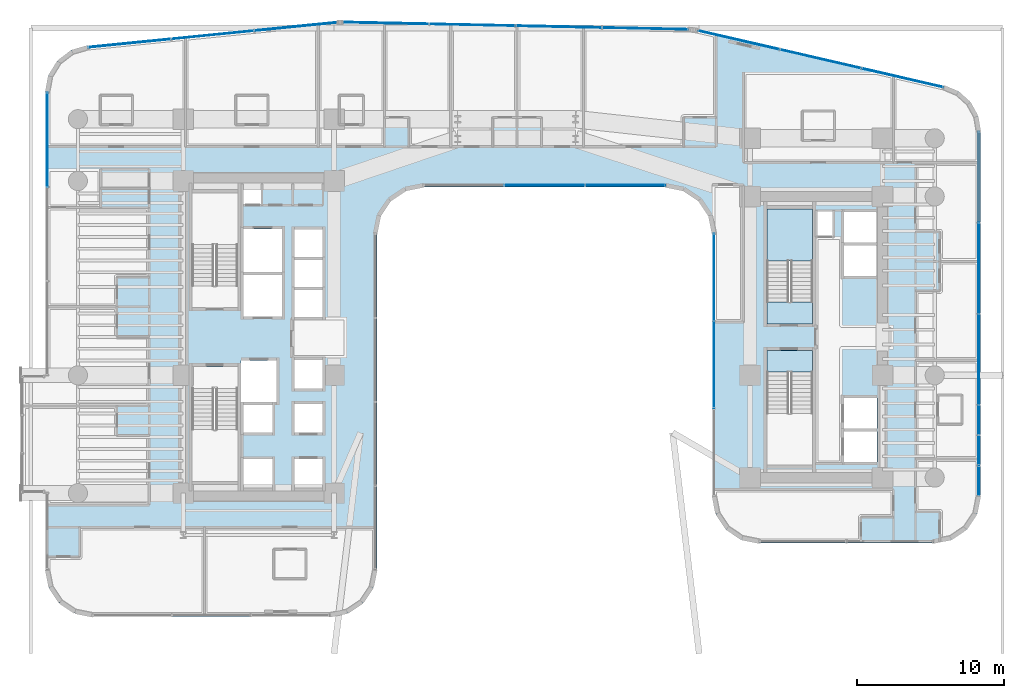
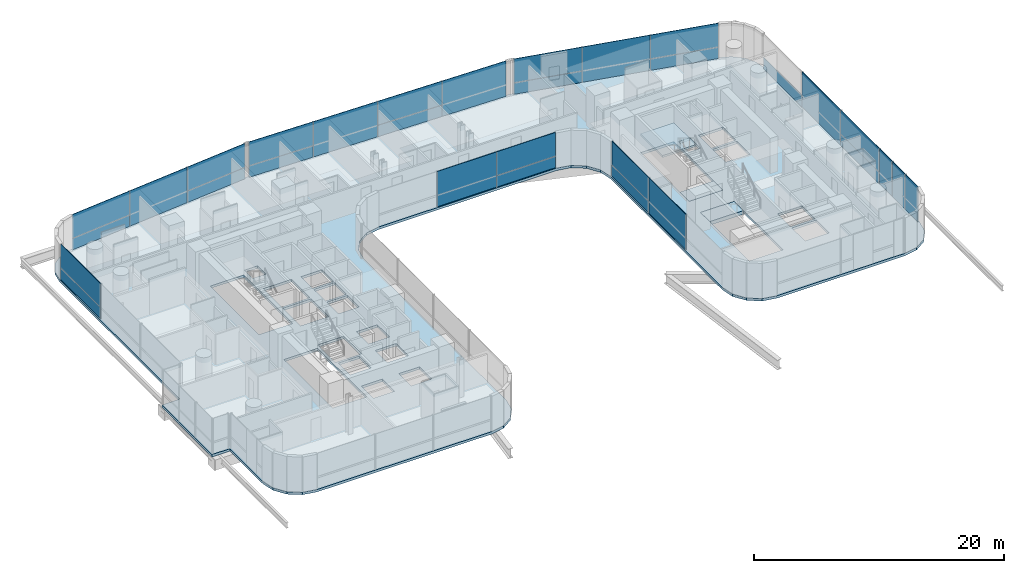
# One storey, part 37 of 50: 31 plates, 4 slabs, 8 elements without a shape of their own.
"""IFC4 building model written with IfcOpenShell, lengths in metres."""

from ifc_helpers import new_model, si_unit, direction, frame, origin, origin_2d, place, context, subcontext, project, spatial, polyline, rectangle, outline, extrude, source, transform, mapped, material, layer, layer_set, type_object, element, aggregate, save


model = new_model("IFC4")

# Units and contexts
model_context = context("Model", 3, precision=1e-05, world=origin(), true_north=direction((0.0, 1.0)))
body_context = subcontext(model_context, "Body", "Model", "MODEL_VIEW")
ifc_project = project(units=[si_unit("LENGTHUNIT", "METRE"), si_unit("AREAUNIT", "SQUARE_METRE"), si_unit("VOLUMEUNIT", "CUBIC_METRE"), si_unit("PLANEANGLEUNIT", "RADIAN"), si_unit("MASSUNIT", "GRAM", prefix="KILO")], contexts=[model_context])

# Site, building, storey
site_placement = place(None, origin())
site = spatial("IfcSite", under=ifc_project, at=site_placement, CompositionType="ELEMENT")
building_placement = place(site_placement, origin())
building = spatial("IfcBuilding", under=site, at=building_placement, Name="Valdorenza Pilgrim Sanctuary Tower", CompositionType="ELEMENT")
storey_placement = place(building_placement, frame((0.0, 0.0, 26.0)))
storey = spatial("IfcBuildingStorey", under=building, at=storey_placement, Name="L05", CompositionType="ELEMENT", Elevation=26.0)

# Slab
ifc_material_1 = material(Name="Concrete C40/50", Category="concrete")
ifc_layer_1 = layer(ifc_material_1, 0.239990234375, Name="Concrete C40/50")
ifc_layer_set_1 = layer_set([ifc_layer_1], Name="Concrete C40/50")
slab_type_1 = type_object("IfcSlabType", Name="SLAB-FLR-220", PredefinedType="FLOOR", material=ifc_layer_set_1)
slab_1_placement = place(storey_placement, frame((0.0, 0.0, -0.239990234375)))
element("IfcSlab", 1, at=slab_1_placement, inside=storey, type_object=slab_type_1, Name="L05 Structural Floor Slab 1", PredefinedType="FLOOR", context=body_context, shape_type="SweptSolid", body=[
    extrude(outline(polyline([(-33.64990234375, -2.60009765625), (-32.0, -2.60009765625), (-32.0, 16.60400390625), (-31.785888671875, 17.754638671875), (-31.172607421875, 18.751220703125), (-30.241943359375, 19.460693359375), (-29.118408203125, 19.7880859375), (-12.192138671875, 21.480712890625), (-11.999755859375, 21.494140625), (-11.806884765625, 21.49609375), (11.66943359375, 21.0068359375), (11.833984375, 20.999267578125), (11.997802734375, 20.983154296875), (12.160888671875, 20.95849609375), (12.322265625, 20.925537109375), (29.01953125, 17.072509765625), (30.00732421875, 16.660888671875), (30.80419921875, 15.946533203125), (31.321044921875, 15.009521484375), (31.5, 13.954345703125), (31.5, -10.800048828125), (31.25634765625, -12.024658203125), (30.562744140625, -13.062744140625), (29.524658203125, -13.75634765625), (28.300048828125, -14.0), (16.5, -14.0), (15.275390625, -13.75634765625), (14.2373046875, -13.062744140625), (13.543701171875, -12.024658203125), (13.300048828125, -10.800048828125), (13.300048828125, 7.0), (13.056396484375, 8.224609375), (12.36279296875, 9.2626953125), (11.32470703125, 9.956298828125), (10.10009765625, 10.199951171875), (-6.300048828125, 10.199951171875), (-7.524658203125, 9.956298828125), (-8.562744140625, 9.2626953125), (-9.25634765625, 8.224609375), (-9.5, 7.0), (-9.5, -15.800048828125), (-9.74365234375, -17.024658203125), (-10.437255859375, -18.062744140625), (-11.475341796875, -18.75634765625), (-12.699951171875, -19.0), (-28.800048828125, -19.0), (-30.024658203125, -18.75634765625), (-31.062744140625, -18.062744140625), (-31.75634765625, -17.024658203125), (-32.0, -15.800048828125), (-32.0, -10.60009765625), (-33.64990234375, -10.60009765625), (-33.64990234375, -2.60009765625)]), holes=[polyline([(-16.60009765625, -10.25), (-16.60009765625, -8.300048828125), (-18.550048828125, -8.300048828125), (-18.550048828125, -10.25), (-16.60009765625, -10.25)]), polyline([(-22.050048828125, -9.800048828125), (-18.93994140625, -9.800048828125), (-18.93994140625, -3.485107421875), (-18.93994140625, -2.0), (-22.050048828125, -2.0), (-22.050048828125, -3.485107421875), (-22.050048828125, -9.800048828125)]), polyline([(-18.550048828125, -6.5), (-16.60009765625, -6.5), (-16.60009765625, -4.60009765625), (-18.550048828125, -4.60009765625), (-18.550048828125, -6.5)]), polyline([(-13.179931640625, -6.5), (-13.179931640625, -4.550048828125), (-15.10009765625, -4.550048828125), (-15.10009765625, -6.5), (-13.179931640625, -6.5)]), polyline([(-18.719970703125, -4.39990234375), (-16.300048828125, -4.39990234375), (-16.300048828125, -1.60009765625), (-18.719970703125, -1.60009765625), (-18.719970703125, -4.39990234375)]), polyline([(-13.179931640625, -3.5), (-13.179931640625, -1.550048828125), (-15.10009765625, -1.550048828125), (-15.10009765625, -3.5), (-13.179931640625, -3.5)]), polyline([(-22.050048828125, 2.0), (-18.93994140625, 2.0), (-18.93994140625, 3.485107421875), (-18.93994140625, 9.800048828125), (-22.050048828125, 9.800048828125), (-22.050048828125, 3.485107421875), (-22.050048828125, 2.0)]), polyline([(-18.550048828125, 1.39990234375), (-15.949951171875, 1.39990234375), (-15.949951171875, 4.22509765625), (-18.550048828125, 4.22509765625), (-18.550048828125, 1.39990234375)]), polyline([(-15.949951171875, 4.425048828125), (-15.949951171875, 7.35009765625), (-18.550048828125, 7.35009765625), (-18.550048828125, 4.425048828125), (-15.949951171875, 4.425048828125)]), polyline([(-15.10009765625, 5.449951171875), (-13.179931640625, 5.449951171875), (-13.179931640625, 7.300048828125), (-15.10009765625, 7.300048828125), (-15.10009765625, 5.449951171875)]), polyline([(-17.360107421875, 9.030029296875), (-17.360107421875, 10.35009765625), (-18.570068359375, 10.35009765625), (-18.570068359375, 9.030029296875), (-17.360107421875, 9.030029296875)]), polyline([(-15.10009765625, -10.25), (-13.179931640625, -10.25), (-13.179931640625, -8.300048828125), (-15.10009765625, -8.300048828125), (-15.10009765625, -10.25)]), polyline([(22.25, -8.5), (24.47998046875, -8.5), (24.47998046875, -6.425048828125), (22.25, -6.425048828125), (22.25, -8.5)]), polyline([(17.0, -2.385009765625), (17.0, -8.699951171875), (20.110107421875, -8.699951171875), (20.110107421875, -2.385009765625), (20.110107421875, -0.89990234375), (17.0, -0.89990234375), (17.0, -2.385009765625)]), polyline([(22.25, -6.22509765625), (24.47998046875, -6.22509765625), (24.47998046875, -4.14990234375), (22.25, -4.14990234375), (22.25, -6.22509765625)]), polyline([(17.0, 0.89990234375), (20.110107421875, 0.89990234375), (20.110107421875, 2.385009765625), (20.110107421875, 8.699951171875), (17.0, 8.699951171875), (17.0, 2.385009765625), (17.0, 0.89990234375)]), polyline([(-15.10009765625, 1.35009765625), (-13.179931640625, 1.35009765625), (-13.179931640625, 3.199951171875), (-15.10009765625, 3.199951171875), (-15.10009765625, 1.35009765625)]), polyline([(-15.10009765625, 3.39990234375), (-13.179931640625, 3.39990234375), (-13.179931640625, 5.25), (-15.10009765625, 5.25), (-15.10009765625, 3.39990234375)]), polyline([(22.25, 4.14990234375), (24.47998046875, 4.14990234375), (24.47998046875, 6.22509765625), (22.25, 6.22509765625), (22.25, 4.14990234375)]), polyline([(22.25, 6.425048828125), (24.47998046875, 6.425048828125), (24.47998046875, 8.5), (22.25, 8.5), (22.25, 6.425048828125)]), polyline([(20.409912109375, 6.860107421875), (21.489990234375, 6.860107421875), (21.489990234375, 8.52001953125), (20.409912109375, 8.52001953125), (20.409912109375, 6.860107421875)])]), origin(), (0.0, 0.0, 1.0), 0.239990234375),
])

# Stair, slab
stair_type = type_object("IfcStairType", Name="STR-DOG-CORE", PredefinedType="HALF_TURN_STAIR", material=ifc_material_1)
stair_placement = place(storey_placement, origin())
stair = element("IfcStair", 2, at=stair_placement, inside=storey, type_object=stair_type, Name="L05 ST-B1", PredefinedType="HALF_TURN_STAIR")
ifc_layer_2 = layer(ifc_material_1, 0.199951171875, Name="Concrete C40/50")
ifc_layer_set_2 = layer_set([ifc_layer_2], Name="Concrete C40/50")
slab_type_2 = type_object("IfcSlabType", Name="SLAB-STL-200", PredefinedType="LANDING", material=ifc_layer_set_2)
slab_2_placement = place(storey_placement, frame((0.0, 0.0, 1.64990234375)))
slab_2 = element("IfcSlab", 3, at=slab_2_placement, type_object=slab_type_2, Name="ST-B1 landing 1", PredefinedType="LANDING", context=body_context, shape_type="SweptSolid", body=[
    extrude(outline(polyline([(20.110107421875, 5.179931640625), (20.110107421875, 8.699951171875), (17.0, 8.699951171875), (17.0, 5.179931640625), (20.110107421875, 5.179931640625)])), origin(), (0.0, 0.0, 1.0), 0.2001953125),
])
aggregate(stair, [slab_2])

# Slabs
ifc_material_2 = material(Name="Concrete C50/60", Category="concrete")
ifc_layer_3 = layer(ifc_material_2, 0.39990234375, Name="Concrete C50/60")
ifc_layer_set_3 = layer_set([ifc_layer_3], Name="Concrete C50/60")
slab_type_3 = type_object("IfcSlabType", Name="SLAB-TRF-400", PredefinedType="FLOOR", material=ifc_layer_set_3)
slab_3_placement = place(storey_placement, frame((0.0, 0.0, -0.360107421875)))
element("IfcSlab", 4, at=slab_3_placement, inside=storey, type_object=slab_type_3, Name="L05 ST-B1 Structural Stair Landing Bearing Slab", PredefinedType="FLOOR", context=body_context, shape_type="SweptSolid", body=[
    extrude(outline(polyline([(17.0, 0.89990234375), (20.110107421875, 0.89990234375), (20.110107421875, 2.385009765625), (17.0, 2.385009765625), (17.0, 0.89990234375)])), origin(), (0.0, 0.0, 1.0), 0.360107421875),
])
slab_4_placement = place(storey_placement, frame((0.0, 0.0, -0.360107421875)))
element("IfcSlab", 5, at=slab_4_placement, inside=storey, type_object=slab_type_3, Name="L05 ST-B2 Structural Stair Landing Bearing Slab", PredefinedType="FLOOR", context=body_context, shape_type="SweptSolid", body=[
    extrude(outline(polyline([(17.0, -2.385009765625), (20.110107421875, -2.385009765625), (20.110107421875, -0.89990234375), (17.0, -0.89990234375), (17.0, -2.385009765625)])), origin(), (0.0, 0.0, 1.0), 0.360107421875),
])

# Curtain wall, plates
ifc_material_3 = material(Name="Curtain-wall IGU glazing", Category="glass")
curtain_wall_type_1 = type_object("IfcCurtainWallType", Name="CW-SYS-02", PredefinedType="NOTDEFINED", material=ifc_material_3)
curtain_wall_1_placement = place(storey_placement, origin())
curtain_wall_1 = element("IfcCurtainWall", 6, at=curtain_wall_1_placement, inside=storey, type_object=curtain_wall_type_1, Name="L05 Curtain Wall CW-L05-1-1S2", PredefinedType="NOTDEFINED")
ifc_material_4 = material(Name="Honed travertine limestone", Category="masonry")
ifc_layer_4 = layer(ifc_material_4, 0.050048828125, Name="Honed travertine limestone")
ifc_layer_set_4 = layer_set([ifc_layer_4], Name="Honed travertine limestone")
plate_type_1 = type_object("IfcPlateType", Name="CW-SPN-TRV", PredefinedType="USERDEFINED", material=ifc_layer_set_4)
shared_shape_1 = source(origin(), body_context, "Body", "SweptSolid", [
    extrude(rectangle(XDim=6.3779296875, YDim=0.06005859375, at=origin_2d()), origin(), (0.0, 0.0, 1.0), 1.10009765625),
])
plate_1_placement = place(storey_placement, frame((-31.889892578125, 13.39501953125, 0.010009765625), z_axis=(0.0, 0.0, 1.0), x_axis=(0.0, 1.0, 0.0)))
plate_1 = element("IfcPlate", 7, at=plate_1_placement, type_object=plate_type_1, Name="CW-L05-1-1S2 Travertine Spandrel 3", ObjectType="SPANDREL", PredefinedType="USERDEFINED", context=body_context, shape_type="MappedRepresentation", body=[
    mapped(shared_shape_1, transform((0.0, 0.0, 0.0), x_axis=(1.0, 0.0, 0.0), y_axis=(0.0, 1.0, 0.0), z_axis=(0.0, 0.0, 1.0), scale=1.0)),
])
ifc_material_5 = material(Name="Ceramic-fritted low-E IGU glazing", Category="glass")
ifc_layer_5 = layer(ifc_material_5, 0.035888671875, Name="Ceramic-fritted low-E IGU glazing")
ifc_layer_set_5 = layer_set([ifc_layer_5], Name="Ceramic-fritted low-E IGU glazing")
plate_type_2 = type_object("IfcPlateType", Name="CW-GLZ-IGU", PredefinedType="USERDEFINED", material=ifc_layer_set_5)
shared_shape_2 = source(origin(), body_context, "Body", "SweptSolid", [
    extrude(rectangle(XDim=6.3779296875, YDim=0.050048828125, at=origin_2d()), origin(), (0.0, 0.0, 1.0), 2.320068359375),
])
plate_2_placement = place(storey_placement, frame((-31.889892578125, 13.39501953125, 1.1298828125), z_axis=(0.0, 0.0, 1.0), x_axis=(0.0, 1.0, 0.0)))
plate_2 = element("IfcPlate", 8, at=plate_2_placement, type_object=plate_type_2, Name="CW-L05-1-1S2 Facade Panel 3", ObjectType="GLAZING", PredefinedType="USERDEFINED", context=body_context, shape_type="MappedRepresentation", body=[
    mapped(shared_shape_2, transform((0.0, 0.0, 0.0), x_axis=(1.0, 0.0, 0.0), y_axis=(0.0, 1.0, 0.0), z_axis=(0.0, 0.0, 1.0), scale=1.0)),
])
aggregate(curtain_wall_1, [plate_1, plate_2])

curtain_wall_2_placement = place(storey_placement, origin())
curtain_wall_2 = element("IfcCurtainWall", 9, at=curtain_wall_2_placement, inside=storey, type_object=curtain_wall_type_1, Name="L05 Curtain Wall CW-L05-1-6", PredefinedType="NOTDEFINED")
shared_shape_3 = source(origin(), body_context, "Body", "SweptSolid", [
    extrude(rectangle(XDim=5.646484375, YDim=0.06005859375, at=origin_2d()), origin(), (0.0, 0.0, 1.0), 1.10009765625),
])
plate_3_placement = place(storey_placement, frame((-26.2783203125, 19.961669921875, 0.010009765625), z_axis=(0.0, 0.0, 1.0), x_axis=(0.995038220239, 0.099493418189, 0.0)))
plate_3 = element("IfcPlate", 10, at=plate_3_placement, type_object=plate_type_1, Name="CW-L05-1-6 Travertine Spandrel 1", ObjectType="SPANDREL", PredefinedType="USERDEFINED", context=body_context, shape_type="MappedRepresentation", body=[
    mapped(shared_shape_3, transform((0.0, 0.0, 0.0), x_axis=(1.0, 0.0, 0.0), y_axis=(0.0, 1.0, 0.0), z_axis=(0.0, 0.0, 1.0), scale=1.0)),
])
plate_4_placement = place(storey_placement, frame((-15.001220703125, 21.08935546875, 0.010009765625), z_axis=(0.0, 0.0, 1.0), x_axis=(0.995038220239, 0.099493418189, 0.0)))
plate_4 = element("IfcPlate", 11, at=plate_4_placement, type_object=plate_type_1, Name="CW-L05-1-6 Travertine Spandrel 3", ObjectType="SPANDREL", PredefinedType="USERDEFINED", context=body_context, shape_type="MappedRepresentation", body=[
    mapped(shared_shape_3, transform((0.0, 0.0, 0.0), x_axis=(1.0, 0.0, 0.0), y_axis=(0.0, 1.0, 0.0), z_axis=(0.0, 0.0, 1.0), scale=1.0)),
])
shared_shape_4 = source(origin(), body_context, "Body", "SweptSolid", [
    extrude(rectangle(XDim=5.646484375, YDim=0.050048828125, at=origin_2d()), origin(), (0.0, 0.0, 1.0), 2.320068359375),
])
plate_5_placement = place(storey_placement, frame((-26.2783203125, 19.961669921875, 1.1298828125), z_axis=(0.0, 0.0, 1.0), x_axis=(0.995038220239, 0.099493418189, 0.0)))
plate_5 = element("IfcPlate", 12, at=plate_5_placement, type_object=plate_type_2, Name="CW-L05-1-6 Facade Panel 1", ObjectType="GLAZING", PredefinedType="USERDEFINED", context=body_context, shape_type="MappedRepresentation", body=[
    mapped(shared_shape_4, transform((0.0, 0.0, 0.0), x_axis=(1.0, 0.0, 0.0), y_axis=(0.0, 1.0, 0.0), z_axis=(0.0, 0.0, 1.0), scale=1.0)),
])
plate_6_placement = place(storey_placement, frame((-15.001220703125, 21.08935546875, 1.1298828125), z_axis=(0.0, 0.0, 1.0), x_axis=(0.995038220239, 0.099493418189, 0.0)))
plate_6 = element("IfcPlate", 13, at=plate_6_placement, type_object=plate_type_2, Name="CW-L05-1-6 Facade Panel 3", ObjectType="GLAZING", PredefinedType="USERDEFINED", context=body_context, shape_type="MappedRepresentation", body=[
    mapped(shared_shape_4, transform((0.0, 0.0, 0.0), x_axis=(1.0, 0.0, 0.0), y_axis=(0.0, 1.0, 0.0), z_axis=(0.0, 0.0, 1.0), scale=1.0)),
])
shared_shape_5 = source(origin(), body_context, "Body", "SweptSolid", [
    extrude(rectangle(XDim=5.646484375, YDim=0.050048828125, at=origin_2d()), origin(), (0.0, 0.0, 1.0), 3.43994140625),
])
plate_7_placement = place(storey_placement, frame((-20.6396484375, 20.525634765625, 0.010009765625), z_axis=(0.0, 0.0, 1.0), x_axis=(0.995038220239, 0.099493418189, 0.0)))
plate_7 = element("IfcPlate", 14, at=plate_7_placement, type_object=plate_type_2, Name="CW-L05-1-6 Full-Height Facade Panel 2", ObjectType="GLAZING", PredefinedType="USERDEFINED", context=body_context, shape_type="MappedRepresentation", body=[
    mapped(shared_shape_5, transform((0.0, 0.0, 0.0), x_axis=(1.0, 0.0, 0.0), y_axis=(0.0, 1.0, 0.0), z_axis=(0.0, 0.0, 1.0), scale=1.0)),
])
aggregate(curtain_wall_2, [plate_3, plate_5, plate_7, plate_4, plate_6])

curtain_wall_3_placement = place(storey_placement, origin())
curtain_wall_3 = element("IfcCurtainWall", 15, at=curtain_wall_3_placement, inside=storey, type_object=curtain_wall_type_1, Name="L05 Curtain Wall CW-L05-1-11", PredefinedType="NOTDEFINED")
shared_shape_6 = source(origin(), body_context, "Body", "SweptSolid", [
    extrude(rectangle(XDim=5.849853515625, YDim=0.06005859375, at=origin_2d()), origin(), (0.0, 0.0, 1.0), 1.10009765625),
])
plate_8_placement = place(storey_placement, frame((-8.8740234375, 21.324951171875, 0.010009765625), z_axis=(0.0, 0.0, 1.0), x_axis=(0.999783234613, -0.020820273474, 0.0)))
plate_8 = element("IfcPlate", 16, at=plate_8_placement, type_object=plate_type_1, Name="CW-L05-1-11 Travertine Spandrel 1", ObjectType="SPANDREL", PredefinedType="USERDEFINED", context=body_context, shape_type="MappedRepresentation", body=[
    mapped(shared_shape_6, transform((0.0, 0.0, 0.0), x_axis=(1.0, 0.0, 0.0), y_axis=(0.0, 1.0, 0.0), z_axis=(0.0, 0.0, 1.0), scale=1.0)),
])
plate_9_placement = place(storey_placement, frame((2.86279296875, 21.080322265625, 0.010009765625), z_axis=(0.0, 0.0, 1.0), x_axis=(0.999783234613, -0.020820273474, 0.0)))
plate_9 = element("IfcPlate", 17, at=plate_9_placement, type_object=plate_type_1, Name="CW-L05-1-11 Travertine Spandrel 3", ObjectType="SPANDREL", PredefinedType="USERDEFINED", context=body_context, shape_type="MappedRepresentation", body=[
    mapped(shared_shape_6, transform((0.0, 0.0, 0.0), x_axis=(1.0, 0.0, 0.0), y_axis=(0.0, 1.0, 0.0), z_axis=(0.0, 0.0, 1.0), scale=1.0)),
])
shared_shape_7 = source(origin(), body_context, "Body", "SweptSolid", [
    extrude(rectangle(XDim=5.849853515625, YDim=0.050048828125, at=origin_2d()), origin(), (0.0, 0.0, 1.0), 2.320068359375),
])
plate_10_placement = place(storey_placement, frame((-8.8740234375, 21.324951171875, 1.1298828125), z_axis=(0.0, 0.0, 1.0), x_axis=(0.999783234613, -0.020820273474, 0.0)))
plate_10 = element("IfcPlate", 18, at=plate_10_placement, type_object=plate_type_2, Name="CW-L05-1-11 Facade Panel 1", ObjectType="GLAZING", PredefinedType="USERDEFINED", context=body_context, shape_type="MappedRepresentation", body=[
    mapped(shared_shape_7, transform((0.0, 0.0, 0.0), x_axis=(1.0, 0.0, 0.0), y_axis=(0.0, 1.0, 0.0), z_axis=(0.0, 0.0, 1.0), scale=1.0)),
])
plate_11_placement = place(storey_placement, frame((2.86279296875, 21.080322265625, 1.1298828125), z_axis=(0.0, 0.0, 1.0), x_axis=(0.999783234613, -0.020820273474, 0.0)))
plate_11 = element("IfcPlate", 19, at=plate_11_placement, type_object=plate_type_2, Name="CW-L05-1-11 Facade Panel 3", ObjectType="GLAZING", PredefinedType="USERDEFINED", context=body_context, shape_type="MappedRepresentation", body=[
    mapped(shared_shape_7, transform((0.0, 0.0, 0.0), x_axis=(1.0, 0.0, 0.0), y_axis=(0.0, 1.0, 0.0), z_axis=(0.0, 0.0, 1.0), scale=1.0)),
])
shared_shape_8 = source(origin(), body_context, "Body", "SweptSolid", [
    extrude(rectangle(XDim=5.849853515625, YDim=0.050048828125, at=origin_2d()), origin(), (0.0, 0.0, 1.0), 3.43994140625),
])
plate_12_placement = place(storey_placement, frame((-3.005615234375, 21.20263671875, 0.010009765625), z_axis=(0.0, 0.0, 1.0), x_axis=(0.999783234613, -0.020820273474, 0.0)))
plate_12 = element("IfcPlate", 20, at=plate_12_placement, type_object=plate_type_2, Name="CW-L05-1-11 Full-Height Facade Panel 2", ObjectType="GLAZING", PredefinedType="USERDEFINED", context=body_context, shape_type="MappedRepresentation", body=[
    mapped(shared_shape_8, transform((0.0, 0.0, 0.0), x_axis=(1.0, 0.0, 0.0), y_axis=(0.0, 1.0, 0.0), z_axis=(0.0, 0.0, 1.0), scale=1.0)),
])
plate_13_placement = place(storey_placement, frame((8.7314453125, 20.9580078125, 0.010009765625), z_axis=(0.0, 0.0, 1.0), x_axis=(0.999783234613, -0.020820273474, 0.0)))
plate_13 = element("IfcPlate", 21, at=plate_13_placement, type_object=plate_type_2, Name="CW-L05-1-11 Full-Height Facade Panel 4", ObjectType="GLAZING", PredefinedType="USERDEFINED", context=body_context, shape_type="MappedRepresentation", body=[
    mapped(shared_shape_8, transform((0.0, 0.0, 0.0), x_axis=(1.0, 0.0, 0.0), y_axis=(0.0, 1.0, 0.0), z_axis=(0.0, 0.0, 1.0), scale=1.0)),
])
aggregate(curtain_wall_3, [plate_8, plate_10, plate_12, plate_9, plate_11, plate_13])

curtain_wall_type_2 = type_object("IfcCurtainWallType", Name="CW-SYS-03", PredefinedType="NOTDEFINED", material=ifc_material_3)
curtain_wall_4_placement = place(storey_placement, origin())
curtain_wall_4 = element("IfcCurtainWall", 22, at=curtain_wall_4_placement, inside=storey, type_object=curtain_wall_type_2, Name="L05 Curtain Wall CW-L05-1-16", PredefinedType="NOTDEFINED")
shared_shape_9 = source(origin(), body_context, "Body", "SweptSolid", [
    extrude(rectangle(XDim=5.6884765625, YDim=0.06005859375, at=origin_2d()), origin(), (0.0, 0.0, 1.0), 1.10009765625),
])
plate_14_placement = place(storey_placement, frame((15.080078125, 20.17626953125, 0.010009765625), z_axis=(0.0, 0.0, 1.0), x_axis=(0.974389691758, -0.224866023659, 0.0)))
plate_14 = element("IfcPlate", 23, at=plate_14_placement, type_object=plate_type_1, Name="CW-L05-1-16 Travertine Spandrel 1", ObjectType="SPANDREL", PredefinedType="USERDEFINED", context=body_context, shape_type="MappedRepresentation", body=[
    mapped(shared_shape_9, transform((0.0, 0.0, 0.0), x_axis=(1.0, 0.0, 0.0), y_axis=(0.0, 1.0, 0.0), z_axis=(0.0, 0.0, 1.0), scale=1.0)),
])
plate_15_placement = place(storey_placement, frame((26.20458984375, 17.609130859375, 0.010009765625), z_axis=(0.0, 0.0, 1.0), x_axis=(0.974389691758, -0.224866023659, 0.0)))
plate_15 = element("IfcPlate", 24, at=plate_15_placement, type_object=plate_type_1, Name="CW-L05-1-16 Travertine Spandrel 3", ObjectType="SPANDREL", PredefinedType="USERDEFINED", context=body_context, shape_type="MappedRepresentation", body=[
    mapped(shared_shape_9, transform((0.0, 0.0, 0.0), x_axis=(1.0, 0.0, 0.0), y_axis=(0.0, 1.0, 0.0), z_axis=(0.0, 0.0, 1.0), scale=1.0)),
])
shared_shape_10 = source(origin(), body_context, "Body", "SweptSolid", [
    extrude(rectangle(XDim=5.6884765625, YDim=0.050048828125, at=origin_2d()), origin(), (0.0, 0.0, 1.0), 2.320068359375),
])
plate_16_placement = place(storey_placement, frame((15.080078125, 20.17626953125, 1.1298828125), z_axis=(0.0, 0.0, 1.0), x_axis=(0.974389691758, -0.224866023659, 0.0)))
plate_16 = element("IfcPlate", 25, at=plate_16_placement, type_object=plate_type_2, Name="CW-L05-1-16 Facade Panel 1", ObjectType="GLAZING", PredefinedType="USERDEFINED", context=body_context, shape_type="MappedRepresentation", body=[
    mapped(shared_shape_10, transform((0.0, 0.0, 0.0), x_axis=(1.0, 0.0, 0.0), y_axis=(0.0, 1.0, 0.0), z_axis=(0.0, 0.0, 1.0), scale=1.0)),
])
plate_17_placement = place(storey_placement, frame((26.20458984375, 17.609130859375, 1.1298828125), z_axis=(0.0, 0.0, 1.0), x_axis=(0.974389691758, -0.224866023659, 0.0)))
plate_17 = element("IfcPlate", 26, at=plate_17_placement, type_object=plate_type_2, Name="CW-L05-1-16 Facade Panel 3", ObjectType="GLAZING", PredefinedType="USERDEFINED", context=body_context, shape_type="MappedRepresentation", body=[
    mapped(shared_shape_10, transform((0.0, 0.0, 0.0), x_axis=(1.0, 0.0, 0.0), y_axis=(0.0, 1.0, 0.0), z_axis=(0.0, 0.0, 1.0), scale=1.0)),
])
shared_shape_11 = source(origin(), body_context, "Body", "SweptSolid", [
    extrude(rectangle(XDim=5.6884765625, YDim=0.050048828125, at=origin_2d()), origin(), (0.0, 0.0, 1.0), 3.43994140625),
])
plate_18_placement = place(storey_placement, frame((20.642333984375, 18.892578125, 0.010009765625), z_axis=(0.0, 0.0, 1.0), x_axis=(0.974389691758, -0.224866023659, 0.0)))
plate_18 = element("IfcPlate", 27, at=plate_18_placement, type_object=plate_type_2, Name="CW-L05-1-16 Full-Height Facade Panel 2", ObjectType="GLAZING", PredefinedType="USERDEFINED", context=body_context, shape_type="MappedRepresentation", body=[
    mapped(shared_shape_11, transform((0.0, 0.0, 0.0), x_axis=(1.0, 0.0, 0.0), y_axis=(0.0, 1.0, 0.0), z_axis=(0.0, 0.0, 1.0), scale=1.0)),
])
aggregate(curtain_wall_4, [plate_14, plate_16, plate_18, plate_15, plate_17])

curtain_wall_5_placement = place(storey_placement, origin())
curtain_wall_5 = element("IfcCurtainWall", 28, at=curtain_wall_5_placement, inside=storey, type_object=curtain_wall_type_2, Name="L05 Curtain Wall CW-L05-1-21", PredefinedType="NOTDEFINED")
shared_shape_12 = source(origin(), body_context, "Body", "SweptSolid", [
    extrude(rectangle(XDim=6.16357421875, YDim=0.06005859375, at=origin_2d()), origin(), (0.0, 0.0, 1.0), 1.10009765625),
])
plate_19_placement = place(storey_placement, frame((31.389892578125, 10.853271484375, 0.010009765625), z_axis=(0.0, 0.0, 1.0), x_axis=(0.0, -1.0, 0.0)))
plate_19 = element("IfcPlate", 29, at=plate_19_placement, type_object=plate_type_1, Name="CW-L05-1-21 Travertine Spandrel 1", ObjectType="SPANDREL", PredefinedType="USERDEFINED", context=body_context, shape_type="MappedRepresentation", body=[
    mapped(shared_shape_12, transform((0.0, 0.0, 0.0), x_axis=(1.0, 0.0, 0.0), y_axis=(0.0, 1.0, 0.0), z_axis=(0.0, 0.0, 1.0), scale=1.0)),
])
plate_20_placement = place(storey_placement, frame((31.389892578125, -1.513916015625, 0.010009765625), z_axis=(0.0, 0.0, 1.0), x_axis=(0.0, -1.0, 0.0)))
plate_20 = element("IfcPlate", 30, at=plate_20_placement, type_object=plate_type_1, Name="CW-L05-1-21 Travertine Spandrel 3", ObjectType="SPANDREL", PredefinedType="USERDEFINED", context=body_context, shape_type="MappedRepresentation", body=[
    mapped(shared_shape_12, transform((0.0, 0.0, 0.0), x_axis=(1.0, 0.0, 0.0), y_axis=(0.0, 1.0, 0.0), z_axis=(0.0, 0.0, 1.0), scale=1.0)),
])
shared_shape_13 = source(origin(), body_context, "Body", "SweptSolid", [
    extrude(rectangle(XDim=6.16357421875, YDim=0.050048828125, at=origin_2d()), origin(), (0.0, 0.0, 1.0), 2.320068359375),
])
plate_21_placement = place(storey_placement, frame((31.389892578125, -1.513916015625, 1.1298828125), z_axis=(0.0, 0.0, 1.0), x_axis=(0.0, -1.0, 0.0)))
plate_21 = element("IfcPlate", 31, at=plate_21_placement, type_object=plate_type_2, Name="CW-L05-1-21 Facade Panel 3", ObjectType="GLAZING", PredefinedType="USERDEFINED", context=body_context, shape_type="MappedRepresentation", body=[
    mapped(shared_shape_13, transform((0.0, 0.0, 0.0), x_axis=(1.0, 0.0, 0.0), y_axis=(0.0, 1.0, 0.0), z_axis=(0.0, 0.0, 1.0), scale=1.0)),
])
shared_shape_14 = source(origin(), body_context, "Body", "SweptSolid", [
    extrude(rectangle(XDim=6.16357421875, YDim=0.050048828125, at=origin_2d()), origin(), (0.0, 0.0, 1.0), 3.43994140625),
])
plate_22_placement = place(storey_placement, frame((31.389892578125, 4.669677734375, 0.010009765625), z_axis=(0.0, 0.0, 1.0), x_axis=(0.0, -1.0, 0.0)))
plate_22 = element("IfcPlate", 32, at=plate_22_placement, type_object=plate_type_2, Name="CW-L05-1-21 Full-Height Facade Panel 2", ObjectType="GLAZING", PredefinedType="USERDEFINED", context=body_context, shape_type="MappedRepresentation", body=[
    mapped(shared_shape_14, transform((0.0, 0.0, 0.0), x_axis=(1.0, 0.0, 0.0), y_axis=(0.0, 1.0, 0.0), z_axis=(0.0, 0.0, 1.0), scale=1.0)),
])

curtain_wall_6_placement = place(storey_placement, origin())
curtain_wall_6 = element("IfcCurtainWall", 33, at=curtain_wall_6_placement, inside=storey, type_object=curtain_wall_type_2, Name="L05 Curtain Wall CW-L05-1-31", PredefinedType="NOTDEFINED")
shared_shape_15 = source(origin(), body_context, "Body", "SweptSolid", [
    extrude(rectangle(XDim=5.913330078125, YDim=0.06005859375, at=origin_2d()), origin(), (0.0, 0.0, 1.0), 1.10009765625),
])
plate_23_placement = place(storey_placement, frame((13.409912109375, 4.044189453125, 0.010009765625), z_axis=(0.0, 0.0, 1.0), x_axis=(0.0, 1.0, 0.0)))
plate_23 = element("IfcPlate", 34, at=plate_23_placement, type_object=plate_type_1, Name="CW-L05-1-31 Travertine Spandrel 3", ObjectType="SPANDREL", PredefinedType="USERDEFINED", context=body_context, shape_type="MappedRepresentation", body=[
    mapped(shared_shape_15, transform((0.0, 0.0, 0.0), x_axis=(1.0, 0.0, 0.0), y_axis=(0.0, 1.0, 0.0), z_axis=(0.0, 0.0, 1.0), scale=1.0)),
])
shared_shape_16 = source(origin(), body_context, "Body", "SweptSolid", [
    extrude(rectangle(XDim=5.913330078125, YDim=0.050048828125, at=origin_2d()), origin(), (0.0, 0.0, 1.0), 2.320068359375),
])
plate_24_placement = place(storey_placement, frame((13.409912109375, 4.044189453125, 1.1298828125), z_axis=(0.0, 0.0, 1.0), x_axis=(0.0, 1.0, 0.0)))
plate_24 = element("IfcPlate", 35, at=plate_24_placement, type_object=plate_type_2, Name="CW-L05-1-31 Facade Panel 3", ObjectType="GLAZING", PredefinedType="USERDEFINED", context=body_context, shape_type="MappedRepresentation", body=[
    mapped(shared_shape_16, transform((0.0, 0.0, 0.0), x_axis=(1.0, 0.0, 0.0), y_axis=(0.0, 1.0, 0.0), z_axis=(0.0, 0.0, 1.0), scale=1.0)),
])
shared_shape_17 = source(origin(), body_context, "Body", "SweptSolid", [
    extrude(rectangle(XDim=5.913330078125, YDim=0.050048828125, at=origin_2d()), origin(), (0.0, 0.0, 1.0), 3.43994140625),
])
plate_25_placement = place(storey_placement, frame((13.409912109375, -1.88916015625, 0.010009765625), z_axis=(0.0, 0.0, 1.0), x_axis=(0.0, 1.0, 0.0)))
plate_25 = element("IfcPlate", 36, at=plate_25_placement, type_object=plate_type_2, Name="CW-L05-1-31 Full-Height Facade Panel 2", ObjectType="GLAZING", PredefinedType="USERDEFINED", context=body_context, shape_type="MappedRepresentation", body=[
    mapped(shared_shape_17, transform((0.0, 0.0, 0.0), x_axis=(1.0, 0.0, 0.0), y_axis=(0.0, 1.0, 0.0), z_axis=(0.0, 0.0, 1.0), scale=1.0)),
])
aggregate(curtain_wall_6, [plate_25, plate_23, plate_24])

curtain_wall_7_placement = place(storey_placement, origin())
curtain_wall_7 = element("IfcCurtainWall", 37, at=curtain_wall_7_placement, inside=storey, type_object=curtain_wall_type_1, Name="L05 Curtain Wall CW-L05-1-36", PredefinedType="NOTDEFINED")
shared_shape_18 = source(origin(), body_context, "Body", "SweptSolid", [
    extrude(rectangle(XDim=5.453857421875, YDim=0.06005859375, at=origin_2d()), origin(), (0.0, 0.0, 1.0), 1.10009765625),
])
plate_26_placement = place(storey_placement, frame((7.373779296875, 10.31005859375, 0.010009765625), z_axis=(0.0, 0.0, 1.0), x_axis=(-1.0, 0.0, 0.0)))
plate_26 = element("IfcPlate", 38, at=plate_26_placement, type_object=plate_type_1, Name="CW-L05-1-36 Travertine Spandrel 1", ObjectType="SPANDREL", PredefinedType="USERDEFINED", context=body_context, shape_type="MappedRepresentation", body=[
    mapped(shared_shape_18, transform((0.0, 0.0, 0.0), x_axis=(1.0, 0.0, 0.0), y_axis=(0.0, 1.0, 0.0), z_axis=(0.0, 0.0, 1.0), scale=1.0)),
])
shared_shape_19 = source(origin(), body_context, "Body", "SweptSolid", [
    extrude(rectangle(XDim=5.453857421875, YDim=0.050048828125, at=origin_2d()), origin(), (0.0, 0.0, 1.0), 2.320068359375),
])
plate_27_placement = place(storey_placement, frame((7.373779296875, 10.31005859375, 1.1298828125), z_axis=(0.0, 0.0, 1.0), x_axis=(-1.0, 0.0, 0.0)))
plate_27 = element("IfcPlate", 39, at=plate_27_placement, type_object=plate_type_2, Name="CW-L05-1-36 Facade Panel 1", ObjectType="GLAZING", PredefinedType="USERDEFINED", context=body_context, shape_type="MappedRepresentation", body=[
    mapped(shared_shape_19, transform((0.0, 0.0, 0.0), x_axis=(1.0, 0.0, 0.0), y_axis=(0.0, 1.0, 0.0), z_axis=(0.0, 0.0, 1.0), scale=1.0)),
])
shared_shape_20 = source(origin(), body_context, "Body", "SweptSolid", [
    extrude(rectangle(XDim=5.453857421875, YDim=0.050048828125, at=origin_2d()), origin(), (0.0, 0.0, 1.0), 3.43994140625),
])
plate_28_placement = place(storey_placement, frame((1.89990234375, 10.31005859375, 0.010009765625), z_axis=(0.0, 0.0, 1.0), x_axis=(-1.0, 0.0, 0.0)))
plate_28 = element("IfcPlate", 40, at=plate_28_placement, type_object=plate_type_2, Name="CW-L05-1-36 Full-Height Facade Panel 2", ObjectType="GLAZING", PredefinedType="USERDEFINED", context=body_context, shape_type="MappedRepresentation", body=[
    mapped(shared_shape_20, transform((0.0, 0.0, 0.0), x_axis=(1.0, 0.0, 0.0), y_axis=(0.0, 1.0, 0.0), z_axis=(0.0, 0.0, 1.0), scale=1.0)),
])
aggregate(curtain_wall_7, [plate_26, plate_27, plate_28])

# Plate
shared_shape_21 = source(origin(), body_context, "Body", "SweptSolid", [
    extrude(rectangle(XDim=2.034423828125, YDim=0.050048828125, at=origin_2d()), origin(), (0.0, 0.0, 1.0), 3.43994140625),
])
plate_29_placement = place(storey_placement, frame((31.389892578125, -5.642822265625, 0.010009765625), z_axis=(0.0, 0.0, 1.0), x_axis=(0.0, -1.0, 0.0)))
plate_29 = element("IfcPlate", 41, at=plate_29_placement, type_object=plate_type_2, Name="CW-L05-1-21 Full-Height Facade Panel 4 Sub 1", ObjectType="GLAZING", PredefinedType="USERDEFINED", context=body_context, shape_type="MappedRepresentation", body=[
    mapped(shared_shape_21, transform((0.0, 0.0, 0.0), x_axis=(1.0, 0.0, 0.0), y_axis=(0.0, 1.0, 0.0), z_axis=(0.0, 0.0, 1.0), scale=1.0)),
])

plate_30_placement = place(storey_placement, frame((31.389892578125, -7.697509765625, 0.010009765625), z_axis=(0.0, 0.0, 1.0), x_axis=(0.0, -1.0, 0.0)))
plate_30 = element("IfcPlate", 42, at=plate_30_placement, type_object=plate_type_2, Name="CW-L05-1-21 Full-Height Facade Panel 4 Sub 2", ObjectType="GLAZING", PredefinedType="USERDEFINED", context=body_context, shape_type="MappedRepresentation", body=[
    mapped(shared_shape_21, transform((0.0, 0.0, 0.0), x_axis=(1.0, 0.0, 0.0), y_axis=(0.0, 1.0, 0.0), z_axis=(0.0, 0.0, 1.0), scale=1.0)),
])

plate_31_placement = place(storey_placement, frame((31.389892578125, -9.751953125, 0.010009765625), z_axis=(0.0, 0.0, 1.0), x_axis=(0.0, -1.0, 0.0)))
plate_31 = element("IfcPlate", 43, at=plate_31_placement, type_object=plate_type_2, Name="CW-L05-1-21 Full-Height Facade Panel 4 Sub 3", ObjectType="GLAZING", PredefinedType="USERDEFINED", context=body_context, shape_type="MappedRepresentation", body=[
    mapped(shared_shape_21, transform((0.0, 0.0, 0.0), x_axis=(1.0, 0.0, 0.0), y_axis=(0.0, 1.0, 0.0), z_axis=(0.0, 0.0, 1.0), scale=1.0)),
])

aggregate(curtain_wall_5, [plate_19, plate_22, plate_20, plate_21, plate_29, plate_30, plate_31])

save(model, "model.ifc")
